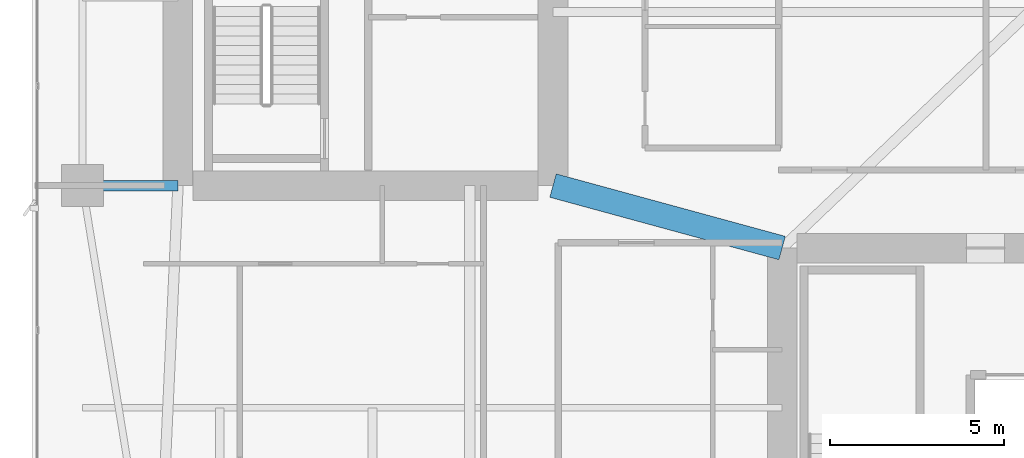
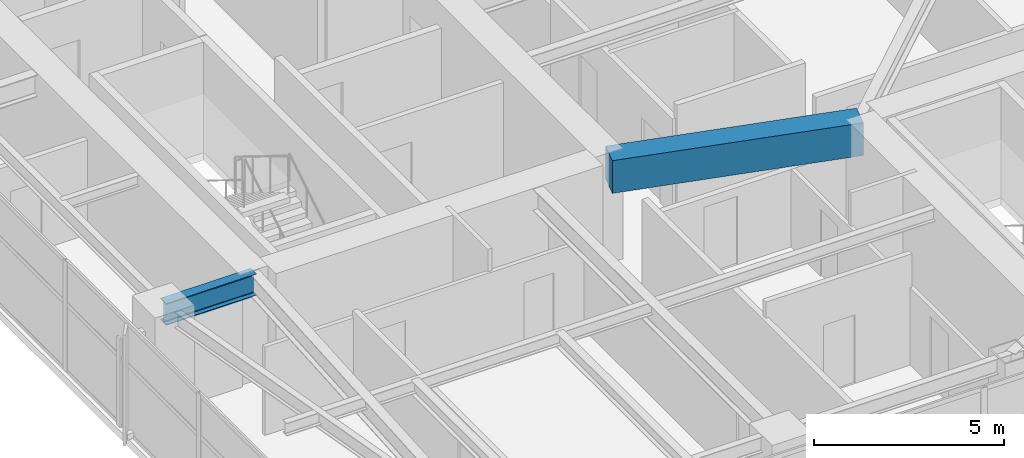
# One storey, part 7 of 28: 2 beams.
"""IFC4 building model written with IfcOpenShell, lengths in metres."""

from ifc_helpers import new_model, si_unit, direction, frame, origin, origin_2d, place, context, subcontext, project, spatial, rectangle, i_section, extrude, material, material_profile, profile_set, type_object, element, save


model = new_model("IFC4")

# Units and contexts
model_context = context("Model", 3, precision=1e-05, world=origin(), true_north=direction((0.0, 1.0)))
body_context = subcontext(model_context, "Body", "Model", "MODEL_VIEW")
ifc_project = project(units=[si_unit("LENGTHUNIT", "METRE"), si_unit("AREAUNIT", "SQUARE_METRE"), si_unit("VOLUMEUNIT", "CUBIC_METRE"), si_unit("PLANEANGLEUNIT", "RADIAN"), si_unit("MASSUNIT", "GRAM", prefix="KILO")], contexts=[model_context])

# Site, building, storey
site_placement = place(None, origin())
site = spatial("IfcSite", under=ifc_project, at=site_placement, CompositionType="ELEMENT")
building_placement = place(site_placement, origin())
building = spatial("IfcBuilding", under=site, at=building_placement, Name="Calvorn Quay Hotel", CompositionType="ELEMENT")
storey_placement = place(building_placement, frame((0.0, 0.0, 112.60009765625)))
storey = spatial("IfcBuildingStorey", under=building, at=storey_placement, Name="L27", CompositionType="ELEMENT", Elevation=112.60009765625)

# Beams
ifc_material_1 = material(Name="Steel Q390GJC", Category="steel")
ifc_material_profile_1 = material_profile(ifc_material_1, i_section(OverallWidth=0.300048828125, OverallDepth=0.699951171875, WebThickness=0.012939453125, FlangeThickness=0.02392578125, FilletRadius=0.02392578125, at=origin_2d()), Name="HN700x300x13x24")
ifc_profile_set_1 = profile_set([ifc_material_profile_1], Name="Steel Q390GJC")
beam_type_1 = type_object("IfcBeamType", Name="BM-GIRD-MAIN", PredefinedType="BEAM", material=ifc_profile_set_1)
beam_1_placement = place(storey_placement, frame((1.449951171875, 16.800048828125, 3.18994140625), z_axis=(1.0, 0.0, 0.0), x_axis=(0.0, 1.0, 0.0)))
element("IfcBeam", 1, at=beam_1_placement, inside=storey, type_object=beam_type_1, Name="Beam BG-L27-W1", PredefinedType="BEAM", context=body_context, shape_type="SweptSolid", body=[
    extrude(i_section(OverallWidth=0.300048828125, OverallDepth=0.699951171875, WebThickness=0.012939453125, FlangeThickness=0.02392578125, FilletRadius=0.02392578125, at=origin_2d()), origin(), (0.0, 0.0, 1.0), 2.75),
])
ifc_material_2 = material(Name="Concrete C50", Category="concrete")
ifc_material_profile_2 = material_profile(ifc_material_2, rectangle(XDim=0.699951171875, YDim=1.050048828125, at=origin_2d()), Name="RCB700x1050")
ifc_profile_set_2 = profile_set([ifc_material_profile_2], Name="Concrete C50")
beam_type_2 = type_object("IfcBeamType", Name="BM-RC-LINK-700x1050", PredefinedType="BEAM", material=ifc_profile_set_2)
beam_2_placement = place(storey_placement, frame((15.0, 16.800048828125, 3.014892578125), z_axis=(0.964762997686, -0.263120425462, 0.0), x_axis=(0.263120425462, 0.964762997686, 0.0)))
element("IfcBeam", 2, at=beam_2_placement, inside=storey, type_object=beam_type_2, Name="Beam BCL-L27-01", PredefinedType="BEAM", context=body_context, shape_type="SweptSolid", body=[
    extrude(rectangle(XDim=0.699951171875, YDim=1.050048828125, at=origin_2d()), origin(), (0.0, 0.0, 1.0), 6.841064453125),
])

save(model, "model.ifc")
